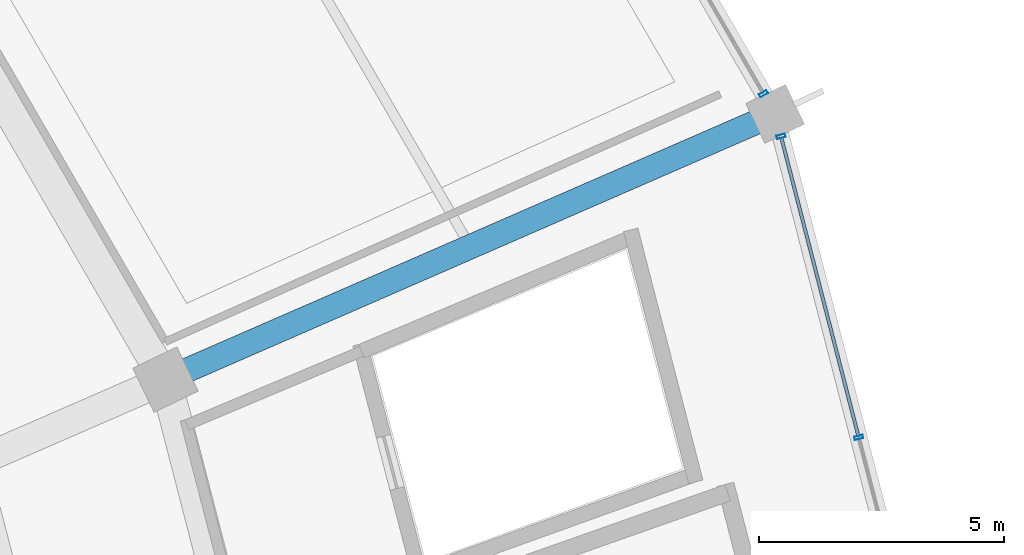
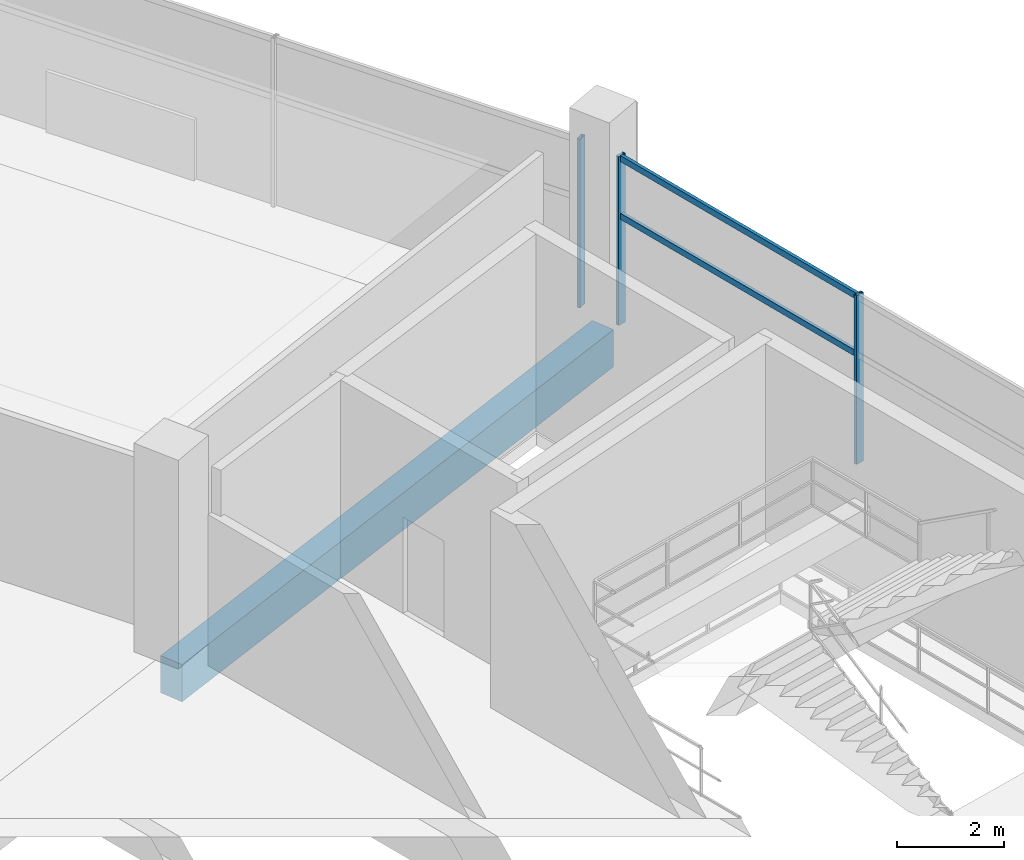
# One storey, part 59 of 156: 5 members, 1 beam, 2 elements without a shape of their own.
"""IFC4 building model written with IfcOpenShell, lengths in metres."""

from ifc_helpers import new_model, si_unit, direction, frame, origin, origin_2d, place, context, subcontext, project, spatial, rectangle, hollow_rectangle, extrude, material, layer, layer_set, material_profile, profile_set, type_object, element, aggregate, save


model = new_model("IFC4")

# Units and contexts
model_context = context("Model", 3, precision=1e-05, world=origin(), true_north=direction((0.0, 1.0)))
body_context = subcontext(model_context, "Body", "Model", "MODEL_VIEW")
ifc_project = project(units=[si_unit("LENGTHUNIT", "METRE"), si_unit("AREAUNIT", "SQUARE_METRE"), si_unit("VOLUMEUNIT", "CUBIC_METRE"), si_unit("PLANEANGLEUNIT", "RADIAN"), si_unit("MASSUNIT", "GRAM", prefix="KILO")], contexts=[model_context])

# Site, building, storey
site_placement = place(None, origin())
site = spatial("IfcSite", under=ifc_project, at=site_placement, CompositionType="ELEMENT")
building_placement = place(site_placement, origin())
building = spatial("IfcBuilding", under=site, at=building_placement, Name="Kazemori Nagisa Stadium", CompositionType="ELEMENT")
storey_placement = place(building_placement, frame((0.0, 0.0, 5.780029296875)))
storey = spatial("IfcBuildingStorey", under=building, at=storey_placement, Name="L01", CompositionType="ELEMENT", Elevation=5.780029296875)

# Beam
ifc_material_1 = material(Name="Concrete C40/50 (Fc42)", Category="concrete")
ifc_material_profile_1 = material_profile(ifc_material_1, rectangle(XDim=0.5, YDim=0.85009765625, at=origin_2d()), Name="RC-BM-500x850")
ifc_profile_set_1 = profile_set([ifc_material_profile_1], Name="Concrete C40/50 (Fc42)")
beam_type = type_object("IfcBeamType", Name="Beam_BG-RC500X850", PredefinedType="BEAM", material=ifc_profile_set_1)
beam_placement = place(storey_placement, frame((199.44091796875, 135.32470703125, -0.705078125), z_axis=(0.916683633521, 0.399613708517, 0.0), x_axis=(-0.399613708517, 0.916683633521, 0.0)))
element("IfcBeam", 1, at=beam_placement, inside=storey, type_object=beam_type, Name="Radial girder BG-RC500X850 L01 R2-R3-03", PredefinedType="BEAM", context=body_context, shape_type="SweptSolid", body=[
    extrude(rectangle(XDim=0.5, YDim=0.85009765625, at=origin_2d()), origin(), (0.0, 0.0, 1.0), 13.5751953125),
])

# Curtain wall, members
ifc_material_2 = material(Name="Anodised aluminium 6063-T5", Category="aluminium")
ifc_layer_1 = layer(ifc_material_2, 0.179931640625, Name="Anodised aluminium 6063-T5", Category="aluminium")
ifc_layer_set_1 = layer_set([ifc_layer_1], Name="Anodised aluminium 6063-T5")
curtain_wall_type_1 = type_object("IfcCurtainWallType", Name="CW_L01R3_96", PredefinedType="USERDEFINED", material=ifc_layer_set_1)
curtain_wall_1_placement = place(storey_placement, origin())
curtain_wall_1 = element("IfcCurtainWall", 2, at=curtain_wall_1_placement, inside=storey, type_object=curtain_wall_type_1, Name="Unitised curtain wall CW-L01R3-96 L01", ObjectType="UNITISED CURTAIN WALL", PredefinedType="USERDEFINED")
ifc_material_3 = material(Name="Aluminium 6063-T5 anodised", Category="aluminium")
ifc_material_profile_2 = material_profile(ifc_material_3, hollow_rectangle(XDim=0.070068359375, YDim=0.179931640625, WallThickness=0.00390625, at=origin_2d()), Name="ALU-MULL-70x180x4")
ifc_profile_set_2 = profile_set([ifc_material_profile_2], Name="Aluminium 6063-T5 anodised")
member_type_1 = type_object("IfcMemberType", Name="Mullion_M01", PredefinedType="MULLION", material=ifc_profile_set_2)
member_1_placement = place(storey_placement, frame((213.58984375, 134.1455078125, 0.0), z_axis=(0.0, 0.0, 1.0), x_axis=(-0.249964642418, 0.968254965152, 0.0)))
member_1 = element("IfcMember", 3, at=member_1_placement, type_object=member_type_1, Name="Curtain wall mullion CW-L01R3-96-M3", PredefinedType="MULLION", context=body_context, shape_type="SweptSolid", body=[
    extrude(hollow_rectangle(XDim=0.070068359375, YDim=0.179931640625, WallThickness=0.00390625, at=origin_2d()), origin(), (0.0, 0.0, 1.0), 3.849853515625),
])
member_2_placement = place(storey_placement, frame((212.003662109375, 140.28955078125, 0.0), z_axis=(0.0, 0.0, 1.0), x_axis=(-0.249964642418, 0.968254965152, 0.0)))
member_2 = element("IfcMember", 4, at=member_2_placement, type_object=member_type_1, Name="Curtain wall mullion CW-L01R3-96-M4", PredefinedType="MULLION", context=body_context, shape_type="SweptSolid", body=[
    extrude(hollow_rectangle(XDim=0.070068359375, YDim=0.179931640625, WallThickness=0.00390625, at=origin_2d()), origin(), (0.0, 0.0, 1.0), 3.849853515625),
])

# Curtain wall, member
ifc_layer_2 = layer(ifc_material_2, 0.179931640625, Name="Anodised aluminium 6063-T5", Category="aluminium")
ifc_layer_set_2 = layer_set([ifc_layer_2], Name="Anodised aluminium 6063-T5")
curtain_wall_type_2 = type_object("IfcCurtainWallType", Name="CW_L01R3_99", PredefinedType="USERDEFINED", material=ifc_layer_set_2)
curtain_wall_2_placement = place(storey_placement, origin())
curtain_wall_2 = element("IfcCurtainWall", 5, at=curtain_wall_2_placement, inside=storey, type_object=curtain_wall_type_2, Name="Unitised curtain wall CW-L01R3-99 L01", ObjectType="UNITISED CURTAIN WALL", PredefinedType="USERDEFINED")
member_3_placement = place(storey_placement, frame((211.646728515625, 141.160400390625, 0.0), z_axis=(0.0, 0.0, 1.0), x_axis=(-0.501611590054, 0.865092950337, 0.0)))
member_3 = element("IfcMember", 6, at=member_3_placement, type_object=member_type_1, Name="Curtain wall mullion CW-L01R3-99-M1", PredefinedType="MULLION", context=body_context, shape_type="SweptSolid", body=[
    extrude(hollow_rectangle(XDim=0.070068359375, YDim=0.179931640625, WallThickness=0.00390625, at=origin_2d()), origin(), (0.0, 0.0, 1.0), 3.849853515625),
])
aggregate(curtain_wall_2, [member_3])

# Member
ifc_material_profile_3 = material_profile(ifc_material_3, hollow_rectangle(XDim=0.070068359375, YDim=0.139892578125, WallThickness=0.00390625, at=origin_2d()), Name="ALU-TRAN-70x140x4")
ifc_profile_set_3 = profile_set([ifc_material_profile_3], Name="Aluminium 6063-T5 anodised")
member_type_2 = type_object("IfcMemberType", Name="Transom_T01", PredefinedType="USERDEFINED", material=ifc_profile_set_3)
member_4_placement = place(storey_placement, frame((213.584716796875, 134.1650390625, 2.4638671875), z_axis=(-0.249971699633, 0.968253143234, 0.0), x_axis=(-0.968253143234, -0.249971699633, 0.0)))
member_4 = element("IfcMember", 7, at=member_4_placement, type_object=member_type_2, Name="Curtain wall transom CW-L01R3-96-T3-mid", ObjectType="TRANSOM", PredefinedType="USERDEFINED", context=body_context, shape_type="SweptSolid", body=[
    extrude(hollow_rectangle(XDim=0.070068359375, YDim=0.139892578125, WallThickness=0.00390625, at=origin_2d()), origin(), (0.0, 0.0, 1.0), 6.305419921875),
])

member_5_placement = place(storey_placement, frame((213.584716796875, 134.1650390625, 3.780029296875), z_axis=(-0.249971699633, 0.968253143234, 0.0), x_axis=(-0.968253143234, -0.249971699633, 0.0)))
member_5 = element("IfcMember", 8, at=member_5_placement, type_object=member_type_2, Name="Curtain wall transom CW-L01R3-96-T3-head", ObjectType="TRANSOM", PredefinedType="USERDEFINED", context=body_context, shape_type="SweptSolid", body=[
    extrude(hollow_rectangle(XDim=0.070068359375, YDim=0.139892578125, WallThickness=0.00390625, at=origin_2d()), origin(), (0.0, 0.0, 1.0), 6.305419921875),
])

aggregate(curtain_wall_1, [member_1, member_2, member_4, member_5])

save(model, "model.ifc")
